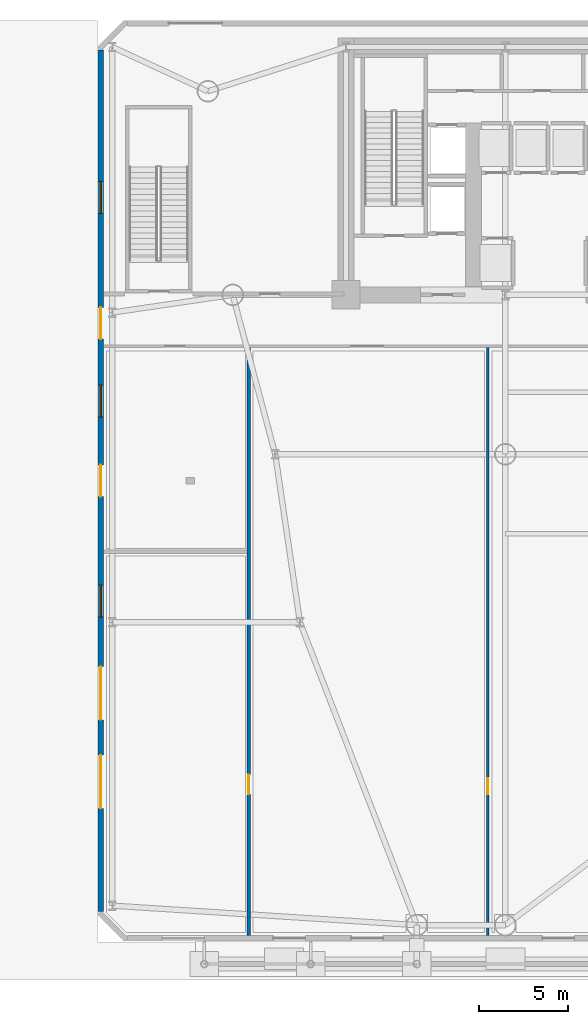
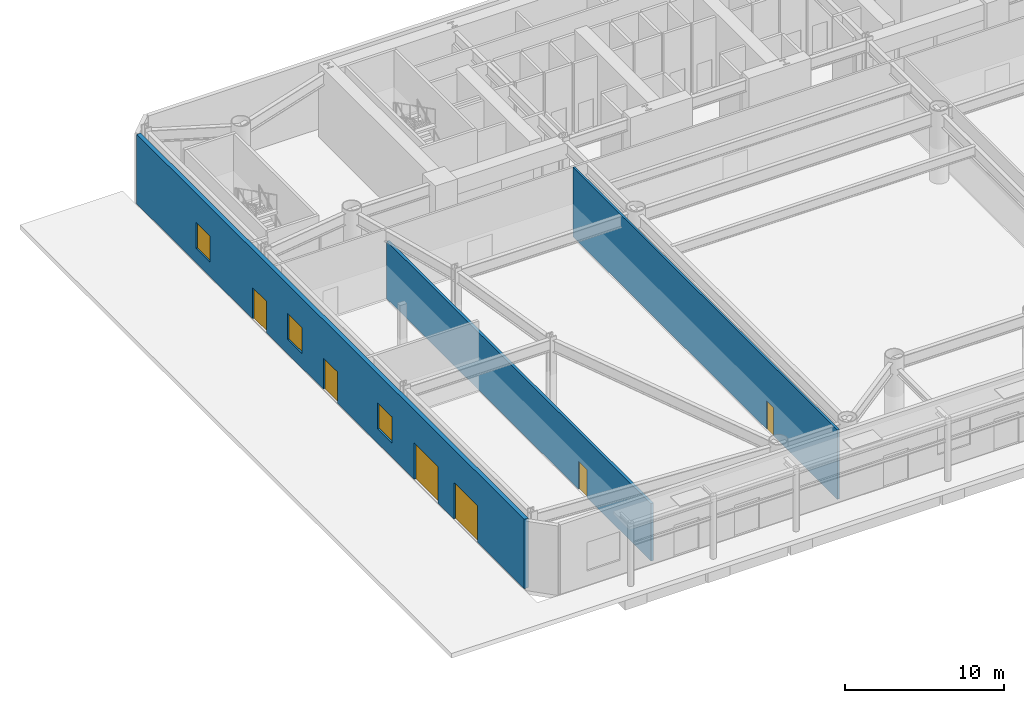
# One storey, part 6 of 20: 6 doors, 3 walls, 3 windows, 9 openings.
"""IFC4 building model written with IfcOpenShell, lengths in metres."""

from ifc_helpers import new_model, si_unit, direction, frame, frame_2d, origin, place, context, subcontext, project, spatial, rectangle, extrude, source, transform, mapped, material, layer, layer_set, type_object, element, fill, save


model = new_model("IFC4")

# Units and contexts
model_context = context("Model", 3, precision=1e-05, world=origin(), true_north=direction((0.0, 1.0)))
body_context = subcontext(model_context, "Body", "Model", "MODEL_VIEW")
ifc_project = project(units=[si_unit("LENGTHUNIT", "METRE"), si_unit("AREAUNIT", "SQUARE_METRE"), si_unit("VOLUMEUNIT", "CUBIC_METRE"), si_unit("PLANEANGLEUNIT", "RADIAN"), si_unit("MASSUNIT", "GRAM", prefix="KILO")], contexts=[model_context])

# Site, building, storey
site_placement = place(None, origin())
site = spatial("IfcSite", under=ifc_project, at=site_placement, CompositionType="ELEMENT")
building_placement = place(site_placement, origin())
building = spatial("IfcBuilding", under=site, at=building_placement, Name="Vaeldorn Concourse Tower", CompositionType="ELEMENT")
storey_placement = place(building_placement, origin())
storey = spatial("IfcBuildingStorey", under=building, at=storey_placement, Name="L00", CompositionType="ELEMENT", Elevation=0.0)

# Wall, openings, doors, windows
ifc_material_1 = material(Name="Precast concrete C40/50", Category="concrete")
ifc_layer_1 = layer(ifc_material_1, 0.300048828125)
ifc_layer_set_1 = layer_set([ifc_layer_1], Name="Precast concrete C40/50")
wall_type_1 = type_object("IfcWallType", Name="WL-EXT-STATION-300", PredefinedType="STANDARD", material=ifc_layer_set_1)
wall_1_placement = place(storey_placement, frame((0.14990234375, 1.659912109375, 0.0), z_axis=(0.0, 0.0, 1.0), x_axis=(0.0, 1.0, 0.0)))
wall_1 = element("IfcWall", 1, at=wall_1_placement, inside=storey, type_object=wall_type_1, Name="Station Ground Exterior Wall EW-L00-W", PredefinedType="STANDARD", context=body_context, shape_type="SweptSolid", body=[
    extrude(rectangle(XDim=48.68017578125, YDim=0.300048828125, at=frame_2d((24.340087890625, 0.0))), origin(), (0.0, 0.0, 1.0), 5.320068359375),
])
opening_1_placement = place(wall_1_placement, frame((23.43994140625, 0.0, 0.0)))
opening_1 = element("IfcOpeningElement", 2, at=opening_1_placement, cuts=wall_1, Name="Opening EX-1", PredefinedType="OPENING", context=body_context, shape_type="SweptSolid", body=[
    extrude(rectangle(XDim=1.800048828125, YDim=2.39990234375, at=frame_2d((0.89990234375, 1.199951171875))), frame((0.0, 0.16015625, 0.0), z_axis=(0.0, -1.0, 0.0), x_axis=(1.0, 0.0, 0.0)), (0.0, 0.0, 1.0), 0.320068359375),
])
opening_2_placement = place(wall_1_placement, frame((32.340087890625, 0.0, 0.0)))
opening_2 = element("IfcOpeningElement", 3, at=opening_2_placement, cuts=wall_1, Name="Opening EX-1", PredefinedType="OPENING", context=body_context, shape_type="SweptSolid", body=[
    extrude(rectangle(XDim=1.800048828125, YDim=2.39990234375, at=frame_2d((0.89990234375, 1.199951171875))), frame((0.0, 0.16015625, 0.0), z_axis=(0.0, -1.0, 0.0), x_axis=(1.0, 0.0, 0.0)), (0.0, 0.0, 1.0), 0.320068359375),
])
opening_3_placement = place(wall_1_placement, frame((5.840087890625, 0.0, 0.0)))
opening_3 = element("IfcOpeningElement", 4, at=opening_3_placement, cuts=wall_1, Name="Opening GT-1", PredefinedType="OPENING", context=body_context, shape_type="SweptSolid", body=[
    extrude(rectangle(XDim=3.0, YDim=2.800048828125, at=frame_2d((1.5, 1.39990234375))), frame((0.0, 0.16015625, 0.0), z_axis=(0.0, -1.0, 0.0), x_axis=(1.0, 0.0, 0.0)), (0.0, 0.0, 1.0), 0.320068359375),
])
opening_4_placement = place(wall_1_placement, frame((10.840087890625, 0.0, 0.0)))
opening_4 = element("IfcOpeningElement", 5, at=opening_4_placement, cuts=wall_1, Name="Opening GT-1", PredefinedType="OPENING", context=body_context, shape_type="SweptSolid", body=[
    extrude(rectangle(XDim=3.0, YDim=2.800048828125, at=frame_2d((1.5, 1.39990234375))), frame((0.0, 0.16015625, 0.0), z_axis=(0.0, -1.0, 0.0), x_axis=(1.0, 0.0, 0.0)), (0.0, 0.0, 1.0), 0.320068359375),
])
opening_5_placement = place(wall_1_placement, frame((16.639892578125, 0.0, 1.10009765625)))
opening_5 = element("IfcOpeningElement", 6, at=opening_5_placement, cuts=wall_1, Name="Opening WN-2", PredefinedType="OPENING", context=body_context, shape_type="SweptSolid", body=[
    extrude(rectangle(XDim=1.800048828125, YDim=2.0, at=frame_2d((0.89990234375, 1.0))), frame((0.0, 0.16015625, 0.0), z_axis=(0.0, -1.0, 0.0), x_axis=(1.0, 0.0, 0.0)), (0.0, 0.0, 1.0), 0.320068359375),
])
opening_6_placement = place(wall_1_placement, frame((27.93994140625, 0.0, 1.10009765625)))
opening_6 = element("IfcOpeningElement", 7, at=opening_6_placement, cuts=wall_1, Name="Opening WN-2", PredefinedType="OPENING", context=body_context, shape_type="SweptSolid", body=[
    extrude(rectangle(XDim=1.800048828125, YDim=2.0, at=frame_2d((0.89990234375, 1.0))), frame((0.0, 0.16015625, 0.0), z_axis=(0.0, -1.0, 0.0), x_axis=(1.0, 0.0, 0.0)), (0.0, 0.0, 1.0), 0.320068359375),
])
opening_7_placement = place(wall_1_placement, frame((39.43994140625, 0.0, 1.10009765625)))
opening_7 = element("IfcOpeningElement", 8, at=opening_7_placement, cuts=wall_1, Name="Opening WN-2", PredefinedType="OPENING", context=body_context, shape_type="SweptSolid", body=[
    extrude(rectangle(XDim=1.800048828125, YDim=2.0, at=frame_2d((0.89990234375, 1.0))), frame((0.0, 0.16015625, 0.0), z_axis=(0.0, -1.0, 0.0), x_axis=(1.0, 0.0, 0.0)), (0.0, 0.0, 1.0), 0.320068359375),
])
ifc_material_2 = material(Name="Anodised Bronze Aluminium", Category="aluminium")
door_type_1 = type_object("IfcDoorType", Name="DR-EXTERIOR-1800", OperationType="DOUBLE_DOOR_SINGLE_SWING", PredefinedType="DOOR", material=ifc_material_2)
shared_shape_1 = source(origin(), body_context, "Body", "SweptSolid", [
    extrude(rectangle(XDim=1.800048828125, YDim=2.39990234375, at=frame_2d((0.89990234375, 1.199951171875))), frame((0.0, 0.02490234375, 0.0), z_axis=(0.0, -1.0, 0.0), x_axis=(1.0, 0.0, 0.0)), (0.0, 0.0, 1.0), 0.050048828125),
])
door_1_placement = place(opening_1_placement, origin())
door_1 = element("IfcDoor", 9, at=door_1_placement, inside=storey, type_object=door_type_1, Name="Pedestrian Final Exit Door EX-08", OperationType="DOUBLE_DOOR_SINGLE_SWING", OverallHeight=2.39990234375, OverallWidth=1.800048828125, PredefinedType="DOOR", context=body_context, shape_type="MappedRepresentation", body=[
    mapped(shared_shape_1, transform((0.0, 0.0, 0.0), scale=1.0)),
])
fill(opening_1, door_1)
door_2_placement = place(opening_2_placement, origin())
door_2 = element("IfcDoor", 10, at=door_2_placement, inside=storey, type_object=door_type_1, Name="Pedestrian Final Exit Door EX-09", OperationType="DOUBLE_DOOR_SINGLE_SWING", OverallHeight=2.39990234375, OverallWidth=1.800048828125, PredefinedType="DOOR", context=body_context, shape_type="MappedRepresentation", body=[
    mapped(shared_shape_1, transform((0.0, 0.0, 0.0), scale=1.0)),
])
fill(opening_2, door_2)
ifc_material_3 = material(Name="Galvanised Steel Cladding", Category="steel")
door_type_2 = type_object("IfcDoorType", Name="DR-OUTSIDE-3000", OperationType="ROLLINGUP", PredefinedType="GATE", material=ifc_material_3)
shared_shape_2 = source(origin(), body_context, "Body", "SweptSolid", [
    extrude(rectangle(XDim=3.0, YDim=2.800048828125, at=frame_2d((1.5, 1.39990234375))), frame((0.0, 0.02490234375, 0.0), z_axis=(0.0, -1.0, 0.0), x_axis=(1.0, 0.0, 0.0)), (0.0, 0.0, 1.0), 0.050048828125),
])
door_3_placement = place(opening_3_placement, origin())
door_3 = element("IfcDoor", 11, at=door_3_placement, inside=storey, type_object=door_type_2, Name="Plant Maintenance Roller Shutter Gate 3", OperationType="ROLLINGUP", OverallHeight=2.800048828125, OverallWidth=3.0, PredefinedType="GATE", context=body_context, shape_type="MappedRepresentation", body=[
    mapped(shared_shape_2, transform((0.0, 0.0, 0.0), scale=1.0)),
])
fill(opening_3, door_3)
door_4_placement = place(opening_4_placement, origin())
door_4 = element("IfcDoor", 12, at=door_4_placement, inside=storey, type_object=door_type_2, Name="Plant Maintenance Roller Shutter Gate 4", OperationType="ROLLINGUP", OverallHeight=2.800048828125, OverallWidth=3.0, PredefinedType="GATE", context=body_context, shape_type="MappedRepresentation", body=[
    mapped(shared_shape_2, transform((0.0, 0.0, 0.0), scale=1.0)),
])
fill(opening_4, door_4)
ifc_material_4 = material(Name="Bronze Tinted Low-E Insulated Glass", Category="glass")
window_type = type_object("IfcWindowType", Name="WN-POD-1800x2000", PartitioningType="SINGLE_PANEL", PredefinedType="WINDOW", material=ifc_material_4)
shared_shape_3 = source(origin(), body_context, "Body", "SweptSolid", [
    extrude(rectangle(XDim=1.800048828125, YDim=2.0, at=frame_2d((0.89990234375, 1.0))), frame((0.0, 0.030029296875, 0.0), z_axis=(0.0, -1.0, 0.0), x_axis=(1.0, 0.0, 0.0)), (0.0, 0.0, 1.0), 0.06005859375),
])
window_1_placement = place(opening_5_placement, origin())
window_1 = element("IfcWindow", 13, at=window_1_placement, inside=storey, type_object=window_type, Name="Station West Window WN-W01", OverallHeight=2.0, OverallWidth=1.800048828125, PartitioningType="SINGLE_PANEL", PredefinedType="WINDOW", context=body_context, shape_type="MappedRepresentation", body=[
    mapped(shared_shape_3, transform((0.0, 0.0, 0.0), scale=1.0)),
])
fill(opening_5, window_1)
window_2_placement = place(opening_6_placement, origin())
window_2 = element("IfcWindow", 14, at=window_2_placement, inside=storey, type_object=window_type, Name="Station West Window WN-W02", OverallHeight=2.0, OverallWidth=1.800048828125, PartitioningType="SINGLE_PANEL", PredefinedType="WINDOW", context=body_context, shape_type="MappedRepresentation", body=[
    mapped(shared_shape_3, transform((0.0, 0.0, 0.0), scale=1.0)),
])
fill(opening_6, window_2)
window_3_placement = place(opening_7_placement, origin())
window_3 = element("IfcWindow", 15, at=window_3_placement, inside=storey, type_object=window_type, Name="Station West Window WN-W03", OverallHeight=2.0, OverallWidth=1.800048828125, PartitioningType="SINGLE_PANEL", PredefinedType="WINDOW", context=body_context, shape_type="MappedRepresentation", body=[
    mapped(shared_shape_3, transform((0.0, 0.0, 0.0), scale=1.0)),
])
fill(opening_7, window_3)

# Wall, opening, door
ifc_material_5 = material(Name="Gypsum Board Partition", Category="gypsum")
ifc_layer_2 = layer(ifc_material_5, 0.14990234375)
ifc_layer_set_2 = layer_set([ifc_layer_2], Name="Gypsum Board Partition")
wall_type_2 = type_object("IfcWallType", Name="WL-PART-150", PredefinedType="PARTITIONING", material=ifc_layer_set_2)
wall_2_placement = place(storey_placement, frame((22.0, 0.300048828125, 0.0), z_axis=(0.0, 0.0, 1.0), x_axis=(0.0, 1.0, 0.0)))
wall_2 = element("IfcWall", 16, at=wall_2_placement, inside=storey, type_object=wall_type_2, Name="Interior Wall PW-L00-W3", PredefinedType="PARTITIONING", context=body_context, shape_type="SweptSolid", body=[
    extrude(rectangle(XDim=33.219970703125, YDim=0.14990234375, at=frame_2d((16.60986328125, 0.0))), origin(), (0.0, 0.0, 1.0), 5.320068359375),
])
opening_8_placement = place(wall_2_placement, frame((8.0, 0.0, 0.0)))
opening_8 = element("IfcOpeningElement", 17, at=opening_8_placement, cuts=wall_2, Name="Opening D-03", PredefinedType="OPENING", context=body_context, shape_type="SweptSolid", body=[
    extrude(rectangle(XDim=0.89990234375, YDim=2.14990234375, at=frame_2d((0.449951171875, 1.074951171875))), frame((0.0, 0.0849609375, 0.0), z_axis=(0.0, -1.0, 0.0), x_axis=(1.0, 0.0, 0.0)), (0.0, 0.0, 1.0), 0.169921875),
])
ifc_material_6 = material(Name="Acoustic Bronze-Framed Glass Door", Category="glass")
door_type_3 = type_object("IfcDoorType", Name="DR-INT-900", OperationType="NOTDEFINED", PredefinedType="DOOR", material=ifc_material_6)
shared_shape_4 = source(origin(), body_context, "Body", "SweptSolid", [
    extrude(rectangle(XDim=0.89990234375, YDim=2.14990234375, at=frame_2d((0.449951171875, 1.074951171875))), frame((0.0, 0.02490234375, 0.0), z_axis=(0.0, -1.0, 0.0), x_axis=(1.0, 0.0, 0.0)), (0.0, 0.0, 1.0), 0.050048828125),
])
door_5_placement = place(opening_8_placement, origin())
door_5 = element("IfcDoor", 18, at=door_5_placement, inside=storey, type_object=door_type_3, Name="Interior Door DR-L00-RET2", OperationType="SINGLE_SWING_LEFT", OverallHeight=2.14990234375, OverallWidth=0.89990234375, PredefinedType="DOOR", context=body_context, shape_type="MappedRepresentation", body=[
    mapped(shared_shape_4, transform((0.0, 0.0, 0.0), scale=1.0)),
])
fill(opening_8, door_5)

ifc_material_7 = material(Name="Concrete C50/60", Category="concrete")
ifc_layer_3 = layer(ifc_material_7, 0.199951171875)
ifc_layer_set_3 = layer_set([ifc_layer_3], Name="Concrete C50/60")
wall_type_3 = type_object("IfcWallType", Name="WL-SHAFT-200", PredefinedType="SOLIDWALL", material=ifc_layer_set_3)
wall_3_placement = place(storey_placement, frame((8.5, 0.300048828125, 0.0), z_axis=(0.0, 0.0, 1.0), x_axis=(0.0, 1.0, 0.0)))
wall_3 = element("IfcWall", 19, at=wall_3_placement, inside=storey, type_object=wall_type_3, Name="Interior Wall PW-L00-W1", PredefinedType="SOLIDWALL", context=body_context, shape_type="SweptSolid", body=[
    extrude(rectangle(XDim=33.199951171875, YDim=0.199951171875, at=frame_2d((16.60009765625, 0.0))), origin(), (0.0, 0.0, 1.0), 4.39990234375),
])
opening_9_placement = place(wall_3_placement, frame((8.0, 0.0, 0.0)))
opening_9 = element("IfcOpeningElement", 20, at=opening_9_placement, cuts=wall_3, Name="Opening D-01", PredefinedType="OPENING", context=body_context, shape_type="SweptSolid", body=[
    extrude(rectangle(XDim=1.10009765625, YDim=2.14990234375, at=frame_2d((0.550048828125, 1.074951171875))), frame((0.0, 0.10986328125, 0.0), z_axis=(0.0, -1.0, 0.0), x_axis=(1.0, 0.0, 0.0)), (0.0, 0.0, 1.0), 0.219970703125),
])
ifc_material_8 = material(Name="Fire-Rated Timber and Steel Leaf", Category="steel")
door_type_4 = type_object("IfcDoorType", Name="DR-FD60-1100", OperationType="NOTDEFINED", PredefinedType="DOOR", material=ifc_material_8)
shared_shape_5 = source(origin(), body_context, "Body", "SweptSolid", [
    extrude(rectangle(XDim=1.10009765625, YDim=2.14990234375, at=frame_2d((0.550048828125, 1.074951171875))), frame((0.0, 0.02490234375, 0.0), z_axis=(0.0, -1.0, 0.0), x_axis=(1.0, 0.0, 0.0)), (0.0, 0.0, 1.0), 0.050048828125),
])
door_6_placement = place(opening_9_placement, origin())
door_6 = element("IfcDoor", 21, at=door_6_placement, inside=storey, type_object=door_type_4, Name="Interior Door DR-L00-RET1", OperationType="SINGLE_SWING_RIGHT", OverallHeight=2.14990234375, OverallWidth=1.10009765625, PredefinedType="DOOR", context=body_context, shape_type="MappedRepresentation", body=[
    mapped(shared_shape_5, transform((0.0, 0.0, 0.0), scale=1.0)),
])
fill(opening_9, door_6)

save(model, "model.ifc")
